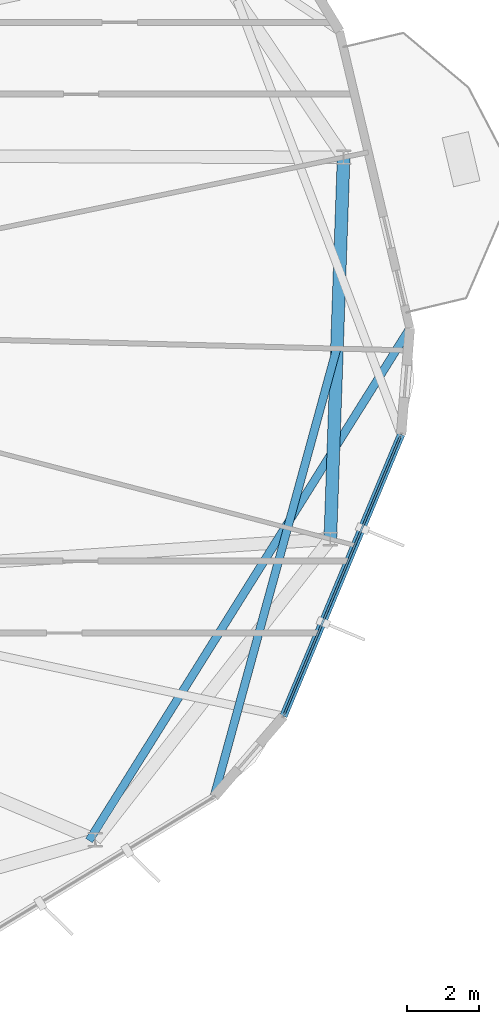
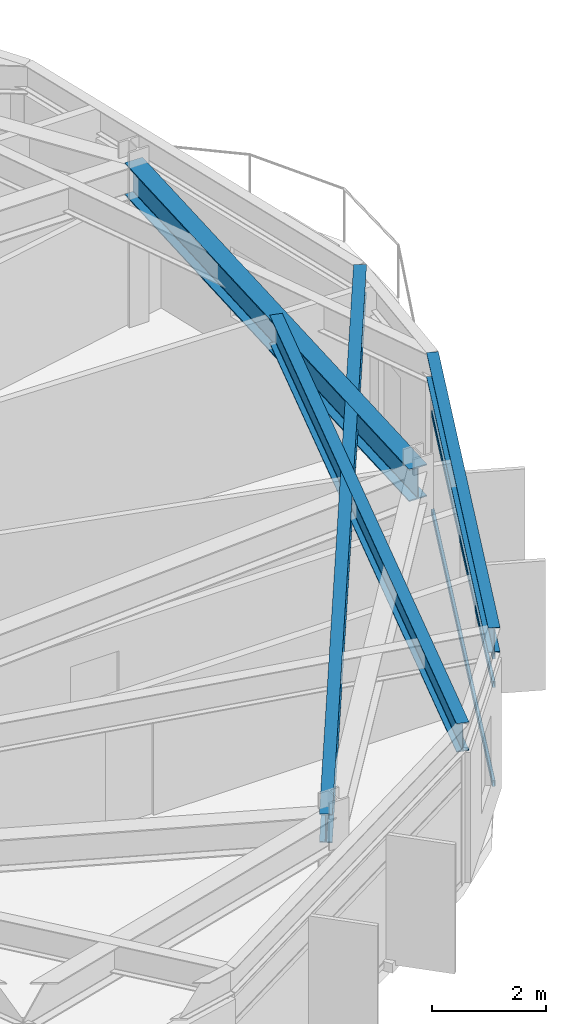
# One storey, part 11 of 23: 4 beams, 3 members, 1 element without a shape of its own.
"""IFC4 building model written with IfcOpenShell, lengths in metres."""

from ifc_helpers import new_model, si_unit, direction, frame, origin, origin_2d, place, context, subcontext, project, spatial, hollow_rectangle, i_section, extrude, material, layer, layer_set, material_profile, profile_set, type_object, element, aggregate, save


model = new_model("IFC4")

# Units and contexts
model_context = context("Model", 3, precision=1e-05, world=origin(), true_north=direction((0.0, 1.0)))
body_context = subcontext(model_context, "Body", "Model", "MODEL_VIEW")
ifc_project = project(units=[si_unit("LENGTHUNIT", "METRE"), si_unit("AREAUNIT", "SQUARE_METRE"), si_unit("VOLUMEUNIT", "CUBIC_METRE"), si_unit("PLANEANGLEUNIT", "RADIAN"), si_unit("MASSUNIT", "GRAM", prefix="KILO")], contexts=[model_context])

# Site, building, storey
site_placement = place(None, origin())
site = spatial("IfcSite", under=ifc_project, at=site_placement, CompositionType="ELEMENT")
building_placement = place(site_placement, origin())
building = spatial("IfcBuilding", under=site, at=building_placement, Name="Soratama Intermodal Tower", CompositionType="ELEMENT")
storey_placement = place(building_placement, frame((0.0, 0.0, 280.0)))
storey = spatial("IfcBuildingStorey", under=building, at=storey_placement, Name="L71", CompositionType="ELEMENT", Elevation=280.0)

# Beams
ifc_material_1 = material(Name="Structural steel ASTM A992 Grade 50", Category="steel")
ifc_material_profile_1 = material_profile(ifc_material_1, i_section(OverallWidth=0.35498046875, OverallDepth=0.695068359375, WebThickness=0.015380859375, FlangeThickness=0.02490234375, FilletRadius=0.01611328125, at=origin_2d()), Name="W27X146")
ifc_profile_set_1 = profile_set([ifc_material_profile_1], Name="Structural steel ASTM A992 Grade 50")
beam_type_1 = type_object("IfcBeamType", Name="BM-RING-W27X146", PredefinedType="BEAM", material=ifc_profile_set_1)
beam_1_placement = place(storey_placement, frame((61.1630859375, 19.116943359375, 3.0625), z_axis=(0.034885453879, 0.999391317307, 0.0), x_axis=(-0.999391317307, 0.034885453879, 0.0)))
element("IfcBeam", 1, at=beam_1_placement, inside=storey, type_object=beam_type_1, Name="BM-L71-RING-10", PredefinedType="BEAM", context=body_context, shape_type="SweptSolid", body=[
    extrude(i_section(OverallWidth=0.35498046875, OverallDepth=0.695068359375, WebThickness=0.015380859375, FlangeThickness=0.02490234375, FilletRadius=0.01611328125, at=origin_2d()), origin(), (0.0, 0.0, 1.0), 10.630615234375),
])
ifc_material_2 = material(Name="Structural steel ASTM A992 Grade 50", Category="steel")
ifc_material_profile_2 = material_profile(ifc_material_2, i_section(OverallWidth=0.2099609375, OverallDepth=0.537109375, WebThickness=0.010986328125, FlangeThickness=0.017333984375, FilletRadius=0.012939453125, at=origin_2d()), Name="W21X68")
ifc_profile_set_2 = profile_set([ifc_material_profile_2], Name="Structural steel ASTM A992 Grade 50")
beam_type_2 = type_object("IfcBeamType", Name="BM-SPN-W21X68", PredefinedType="SPANDREL", material=ifc_profile_set_2)
beam_2_placement = place(storey_placement, frame((59.85888671875, 14.18408203125, 3.1416015625), z_axis=(0.385534976464, 0.922693221999, 0.0), x_axis=(-0.922693221999, 0.385534976464, 0.0)))
element("IfcBeam", 2, at=beam_2_placement, inside=storey, type_object=beam_type_2, Name="BS-L71-F08", PredefinedType="SPANDREL", context=body_context, shape_type="SweptSolid", body=[
    extrude(i_section(OverallWidth=0.2099609375, OverallDepth=0.537109375, WebThickness=0.010986328125, FlangeThickness=0.017333984375, FilletRadius=0.012939453125, at=origin_2d()), origin(), (0.0, 0.0, 1.0), 8.500244140625),
])
ifc_material_3 = material(Name="Structural steel ASTM A992 Grade 50", Category="steel")
ifc_material_profile_3 = material_profile(ifc_material_3, i_section(OverallWidth=0.22900390625, OverallDepth=0.612060546875, WebThickness=0.011962890625, FlangeThickness=0.01953125, FilletRadius=0.012939453125, at=origin_2d()), Name="W24X84")
ifc_profile_set_3 = profile_set([ifc_material_profile_3], Name="Structural steel ASTM A992 Grade 50")
beam_type_3 = type_object("IfcBeamType", Name="BM-TIE-W24X84", PredefinedType="BEAM", material=ifc_profile_set_3)
beam_3_placement = place(storey_placement, frame((61.337890625, 24.403076171875, 3.10400390625), z_axis=(-0.264015421024, -0.96451845885, 0.0), x_axis=(0.96451845885, -0.264015421024, 0.0)))
element("IfcBeam", 3, at=beam_3_placement, inside=storey, type_object=beam_type_3, Name="BM-L71-TIE1-07", PredefinedType="BEAM", context=body_context, shape_type="SweptSolid", body=[
    extrude(i_section(OverallWidth=0.22900390625, OverallDepth=0.612060546875, WebThickness=0.011962890625, FlangeThickness=0.01953125, FilletRadius=0.012939453125, at=origin_2d()), origin(), (0.0, 0.0, 1.0), 12.9267578125),
])
beam_4_placement = place(storey_placement, frame((54.447021484375, 10.718994140625, 3.10400390625), z_axis=(0.530654661457, 0.847588125373, 0.0), x_axis=(-0.847588125373, 0.530654661457, 0.0)))
element("IfcBeam", 4, at=beam_4_placement, inside=storey, type_object=beam_type_3, Name="BM-L71-TIE0-09", PredefinedType="BEAM", context=body_context, shape_type="SweptSolid", body=[
    extrude(i_section(OverallWidth=0.22900390625, OverallDepth=0.612060546875, WebThickness=0.011962890625, FlangeThickness=0.01953125, FilletRadius=0.012939453125, at=origin_2d()), origin(), (0.0, 0.0, 1.0), 16.830078125),
])

# Curtain wall, members
ifc_material_4 = material(Name="Double-glazed aluminium curtain wall", Category="aluminium")
ifc_layer = layer(ifc_material_4, 0.159912109375)
ifc_layer_set = layer_set([ifc_layer], Name="Double-glazed aluminium curtain wall")
curtain_wall_type = type_object("IfcCurtainWallType", Name="CW-SYS-5", PredefinedType="NOTDEFINED", material=ifc_layer_set)
curtain_wall_placement = place(storey_placement, origin())
curtain_wall = element("IfcCurtainWall", 5, at=curtain_wall_placement, inside=storey, type_object=curtain_wall_type, Name="L71 Faceted Curtain Wall F08", PredefinedType="NOTDEFINED")
ifc_material_5 = material(Name="Anodised aluminium AA 6063-T6", Category="aluminium")
ifc_material_profile_4 = material_profile(ifc_material_5, hollow_rectangle(XDim=0.06005859375, YDim=0.1298828125, WallThickness=0.0048828125, InnerFilletRadius=0.0048828125, OuterFilletRadius=0.010009765625, at=origin_2d()), Name="CWT130X60X5")
ifc_profile_set_4 = profile_set([ifc_material_profile_4], Name="Anodised aluminium AA 6063-T6")
member_type = type_object("IfcMemberType", Name="TT-CWT-2", PredefinedType="USERDEFINED", material=ifc_profile_set_4)
member_1_placement = place(storey_placement, frame((59.8818359375, 14.23974609375, 0.030029296875), z_axis=(0.385562648469, 0.922681659136, 0.0), x_axis=(-0.922681659136, 0.385562648469, 0.0)))
member_1 = element("IfcMember", 6, at=member_1_placement, type_object=member_type, Name="CW-5 transom 1.1", ObjectType="TRANSOM", PredefinedType="USERDEFINED", context=body_context, shape_type="SweptSolid", body=[
    extrude(hollow_rectangle(XDim=0.06005859375, YDim=0.1298828125, WallThickness=0.0048828125, InnerFilletRadius=0.0048828125, OuterFilletRadius=0.010009765625, at=origin_2d()), origin(), (0.0, 0.0, 1.0), 8.3798828125),
])
member_2_placement = place(storey_placement, frame((59.8818359375, 14.23974609375, 2.14990234375), z_axis=(0.385562648469, 0.922681659136, 0.0), x_axis=(-0.922681659136, 0.385562648469, 0.0)))
member_2 = element("IfcMember", 7, at=member_2_placement, type_object=member_type, Name="CW-5 transom 1.2", ObjectType="TRANSOM", PredefinedType="USERDEFINED", context=body_context, shape_type="SweptSolid", body=[
    extrude(hollow_rectangle(XDim=0.06005859375, YDim=0.1298828125, WallThickness=0.0048828125, InnerFilletRadius=0.0048828125, OuterFilletRadius=0.010009765625, at=origin_2d()), origin(), (0.0, 0.0, 1.0), 8.3798828125),
])
member_3_placement = place(storey_placement, frame((59.8818359375, 14.23974609375, 2.759033203125), z_axis=(0.385562648469, 0.922681659136, 0.0), x_axis=(-0.922681659136, 0.385562648469, 0.0)))
member_3 = element("IfcMember", 8, at=member_3_placement, type_object=member_type, Name="CW-5 transom 1.3", ObjectType="TRANSOM", PredefinedType="USERDEFINED", context=body_context, shape_type="SweptSolid", body=[
    extrude(hollow_rectangle(XDim=0.06005859375, YDim=0.1298828125, WallThickness=0.0048828125, InnerFilletRadius=0.0048828125, OuterFilletRadius=0.010009765625, at=origin_2d()), origin(), (0.0, 0.0, 1.0), 8.3798828125),
])
aggregate(curtain_wall, [member_1, member_2, member_3])

save(model, "model.ifc")
